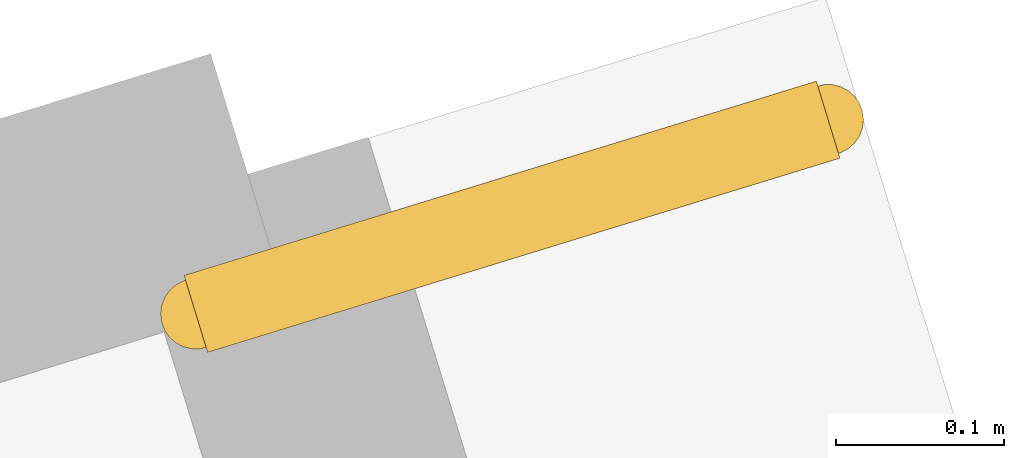
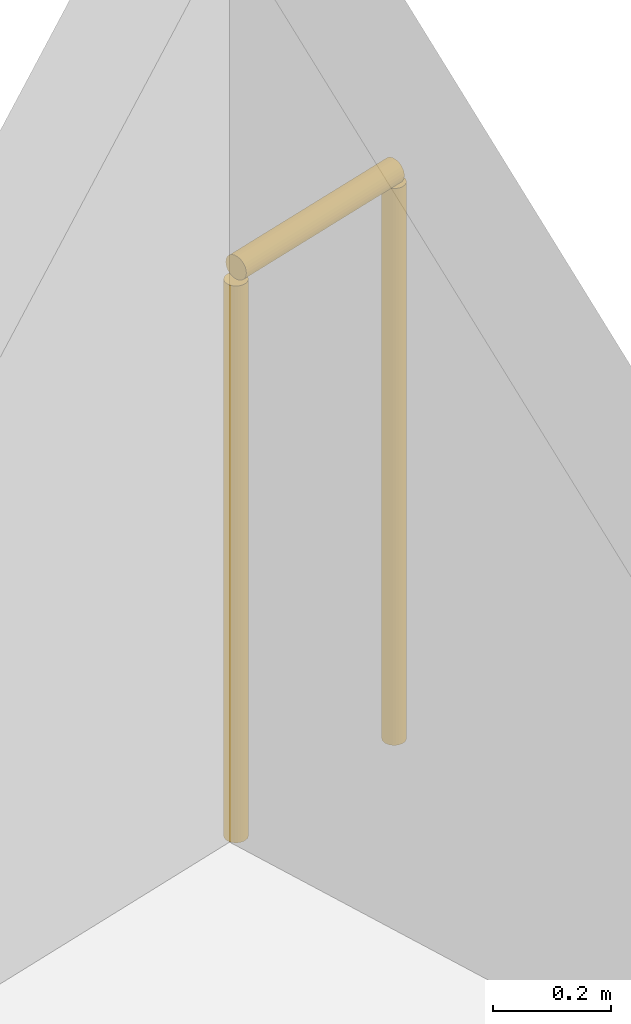
# One storey, part 14 of 14: 1 railing.
"""IFC4 building model written with IfcOpenShell, lengths in metres."""

import ifcopenshell
import ifcopenshell.guid

model = None  # the IFC model being written
_history = None  # IfcOwnerHistory: only IFC2X3 demands one
_inside = {}  # id of a spatial element -> (the spatial element, [elements in it])
_under = {}  # id of a project, library or spatial element -> (it, [spatial elements below it])
_declared = {}  # id of a project -> (the project, [libraries it declares])
_typed = {}  # id of a type object -> (the type object, [elements of that type])
_made_of = {}  # id of a material, layer set ... -> (it, [elements and type objects made of it])


def new_model(schema):
    """Start an empty IFC model of exactly this schema.

    Asked for "IFC4X3", IfcOpenShell would pick the latest addendum, in which some entities
    have other attributes; the version numbers below select the first issue.
    IFC2X3 requires an IfcOwnerHistory on every rooted entity: one is made here for all.
    """
    global model, _history
    if schema == "IFC4X3":
        model = ifcopenshell.file(schema_version=(4, 3, 0, 0))
    else:
        model = ifcopenshell.file(schema=schema)
    _inside.clear()
    _under.clear()
    _declared.clear()
    _typed.clear()
    _made_of.clear()
    _history = None
    if model.schema == "IFC2X3":
        org = make("IfcOrganization", Name="unknown")
        user = make(
            "IfcPersonAndOrganization",
            ThePerson=make("IfcPerson", FamilyName="unknown"),
            TheOrganization=org,
        )
        app = make(
            "IfcApplication",
            ApplicationDeveloper=org,
            Version="unknown",
            ApplicationFullName="unknown",
            ApplicationIdentifier="unknown",
        )
        _history = make(
            "IfcOwnerHistory",
            OwningUser=user,
            OwningApplication=app,
            ChangeAction="ADDED",
            CreationDate=0,
        )
    return model


def make(cls, **values):
    """One entity of the class cls with the attributes given. An attribute that is None is left unset."""
    return model.create_entity(
        cls, **{name: value for name, value in values.items() if value is not None}
    )


def rooted(cls, **values):
    """An entity with a GlobalId (a new one), such as an element, a storey or a relation."""
    return make(cls, GlobalId=ifcopenshell.guid.new(), OwnerHistory=_history, **values)


def si_unit(unit_type, name, prefix=None):
    """IfcSIUnit, for example si_unit("LENGTHUNIT", "METRE", prefix="MILLI")."""
    return make("IfcSIUnit", UnitType=unit_type, Prefix=prefix, Name=name)


def assignment(units):
    """IfcUnitAssignment: the units of a project."""
    return None if units is None else make("IfcUnitAssignment", Units=units)


def point(xyz):
    """IfcCartesianPoint."""
    return None if xyz is None else make("IfcCartesianPoint", Coordinates=xyz)


def direction(xyz):
    """IfcDirection."""
    return None if xyz is None else make("IfcDirection", DirectionRatios=xyz)


def frame(location, z_axis=None, x_axis=None):
    """IfcAxis2Placement3D, a coordinate frame: its origin and axes. An axis left out is left unset."""
    return make(
        "IfcAxis2Placement3D",
        Location=point(location),
        Axis=direction(z_axis),
        RefDirection=direction(x_axis),
    )


def frame_2d(location, x_axis=None):
    """IfcAxis2Placement2D, a coordinate frame in the plane: its origin and x axis."""
    return make(
        "IfcAxis2Placement2D", Location=point(location), RefDirection=direction(x_axis)
    )


def origin():
    """The frame at (0, 0, 0) with its axes left unset."""
    return frame((0.0, 0.0, 0.0))


def origin_2d():
    """The frame at (0, 0) in the plane with its x axis left unset."""
    return frame_2d((0.0, 0.0))


def place(relative_to, where):
    """IfcLocalPlacement: puts the frame where relative to a parent placement (None: the world)."""
    return make(
        "IfcLocalPlacement", PlacementRelTo=relative_to, RelativePlacement=where
    )


def context(
    kind, dimensions, precision=None, world=None, true_north=None, identifier=None
):
    """IfcGeometricRepresentationContext, for example the 3D "Model" context."""
    return make(
        "IfcGeometricRepresentationContext",
        ContextIdentifier=identifier,
        ContextType=kind,
        CoordinateSpaceDimension=dimensions,
        Precision=precision,
        WorldCoordinateSystem=world,
        TrueNorth=true_north,
    )


def subcontext(parent, identifier, kind, view, scale=None):
    """IfcGeometricRepresentationSubContext, for example "Body" below "Model"."""
    return make(
        "IfcGeometricRepresentationSubContext",
        ContextIdentifier=identifier,
        ContextType=kind,
        ParentContext=parent,
        TargetScale=scale,
        TargetView=view,
    )


def project(units=None, contexts=None):
    """IfcProject with its units and contexts."""
    return rooted(
        "IfcProject",
        Name="project",
        RepresentationContexts=contexts,
        UnitsInContext=assignment(units),
    )


def spatial(cls, under=None, at=None, **own):
    """A site, building, storey or space (cls), placed at a placement, below another one or the project."""
    s = rooted(cls, ObjectPlacement=at, **own)
    if under is not None:
        _under.setdefault(under.id(), (under, []))[1].append(s)
    return s


def profile(cls, at=None, kind="AREA", **sizes):
    """A parametric profile (cls). Its sizes go by their IFC names, for example OverallWidth=200.0."""
    return make(cls, ProfileType=kind, Position=at, **sizes)


def circle(**sizes):
    """IfcCircleProfileDef."""
    return profile("IfcCircleProfileDef", **sizes)


def extrude(swept, where, along, depth):
    """IfcExtrudedAreaSolid: the profile swept, set in the frame where, extruded along a direction by depth."""
    return make(
        "IfcExtrudedAreaSolid",
        SweptArea=swept,
        Position=where,
        ExtrudedDirection=direction(along),
        Depth=depth,
    )


def shape(context_of_items, identifier, shape_type, items):
    """IfcShapeRepresentation: the items that make up one representation, for example the "Body"."""
    return make(
        "IfcShapeRepresentation",
        ContextOfItems=context_of_items,
        RepresentationIdentifier=identifier,
        RepresentationType=shape_type,
        Items=items,
    )


def material(Name=None, Category=None):
    """IfcMaterial."""
    return make("IfcMaterial", Name=Name, Category=Category)


def layer(
    of_material, thickness, ventilated=None, Name=None, Category=None, Priority=None
):
    """IfcMaterialLayer: one layer of a wall or slab, of a material (None: an air gap)."""
    return make(
        "IfcMaterialLayer",
        Material=of_material,
        LayerThickness=thickness,
        IsVentilated=ventilated,
        Name=Name,
        Category=Category,
        Priority=Priority,
    )


def layer_set(layers, Name=None):
    """IfcMaterialLayerSet."""
    return make("IfcMaterialLayerSet", MaterialLayers=layers, LayerSetName=Name)


def made_of(thing, what):
    """Note that an element or type object is made of a material, layer set ...; save() writes the relation."""
    if what is not None:
        _made_of.setdefault(what.id(), (what, []))[1].append(thing)
    return thing


def type_object(cls, material=None, **own):
    """A type object (cls), such as IfcWallType, which elements share."""
    return made_of(rooted(cls, **own), material)


def element(
    cls,
    number,
    at=None,
    inside=None,
    cuts=None,
    type_object=None,
    material=None,
    context=None,
    identifier="Body",
    shape_type=None,
    held_by="IfcProductDefinitionShape",
    body=None,
    shapes=None,
    **own,
):
    """One element of the class cls, such as IfcWall. Its Tag is "e" and its number.

    at: its placement. inside: the storey or other place that contains it. cuts: it is an
    opening in that element (IfcRelVoidsElement). A single representation is given by context,
    identifier, shape_type and body (its items); several are given by shapes. held_by: the class
    of the entity that holds the representations. save() writes the other relations.
    """
    e = rooted(cls, Tag="e%d" % number, ObjectPlacement=at, **own)
    if body is not None:
        shapes = [shape(context, identifier, shape_type, body)]
    if shapes is not None:
        e.Representation = make(held_by, Representations=shapes)
    if inside is not None:
        _inside.setdefault(inside.id(), (inside, []))[1].append(e)
    if cuts is not None:
        rooted(
            "IfcRelVoidsElement", RelatingBuildingElement=cuts, RelatedOpeningElement=e
        )
    if type_object is not None:
        _typed.setdefault(type_object.id(), (type_object, []))[1].append(e)
    return made_of(e, material)


def aggregate(whole, parts):
    """IfcRelAggregates: a whole, such as a stair, and the parts it consists of."""
    return rooted("IfcRelAggregates", RelatingObject=whole, RelatedObjects=parts)


def save(model, path):
    """Write the relations noted so far, then the file.

    IfcRelAggregates (storeys below a building ...), IfcRelContainedInSpatialStructure (elements
    in a storey), IfcRelDefinesByType, IfcRelAssociatesMaterial and IfcRelDeclares: one each for
    every whole, place, type object, material and project.
    """
    for whole, parts in _under.values():
        aggregate(whole, parts)
    for where, things in _inside.values():
        rooted(
            "IfcRelContainedInSpatialStructure",
            RelatedElements=things,
            RelatingStructure=where,
        )
    for kind, things in _typed.values():
        rooted("IfcRelDefinesByType", RelatedObjects=things, RelatingType=kind)
    for what, things in _made_of.values():
        rooted("IfcRelAssociatesMaterial", RelatedObjects=things, RelatingMaterial=what)
    for by, libraries in _declared.values():
        rooted("IfcRelDeclares", RelatingContext=by, RelatedDefinitions=libraries)
    model.write(path)


model = new_model("IFC4")

# Units and contexts
model_context = context("Model", 3, precision=1e-05, world=origin(), true_north=direction((0.0, 1.0)))
body_context = subcontext(model_context, "Body", "Model", "MODEL_VIEW")
ifc_project = project(units=[si_unit("LENGTHUNIT", "METRE"), si_unit("AREAUNIT", "SQUARE_METRE"), si_unit("VOLUMEUNIT", "CUBIC_METRE"), si_unit("PLANEANGLEUNIT", "RADIAN"), si_unit("MASSUNIT", "GRAM", prefix="KILO")], contexts=[model_context])

# Site, building, storey
site_placement = place(None, origin())
site = spatial("IfcSite", under=ifc_project, at=site_placement, CompositionType="ELEMENT")
building_placement = place(site_placement, origin())
building = spatial("IfcBuilding", under=site, at=building_placement, Name="Gaonmaruhae Medical Tower", CompositionType="ELEMENT")
storey_placement = place(building_placement, frame((0.0, 0.0, 96.39990234375)))
storey = spatial("IfcBuildingStorey", under=building, at=storey_placement, Name="L22", CompositionType="ELEMENT", Elevation=96.39990234375)

# Railing
ifc_material = material(Name="Stainless steel 316L and laminated safety glass", Category="steel")
ifc_layer = layer(ifc_material, 0.080078125)
ifc_layer_set = layer_set([ifc_layer], Name="Stainless steel 316L and laminated safety glass")
railing_type = type_object("IfcRailingType", Name="GD-120 Outdoor Terrace Safety Glass & Steel Balustrade", PredefinedType="BALUSTRADE", material=ifc_layer_set)
railing_placement = place(storey_placement, frame((56.076171875, 29.235107421875, 0.0)))
element("IfcRailing", 1, at=railing_placement, inside=storey, type_object=railing_type, Name="L22 Perimeter Slab Edge Safety Balustrade 01", PredefinedType="BALUSTRADE", context=body_context, shape_type="SweptSolid", body=[
    extrude(circle(Radius=0.02392578125, at=origin_2d()), frame((0.0, 0.0, 1.17578125), z_axis=(0.955926521728, 0.293606003102, 0.0), x_axis=(-0.293606003102, 0.955926521728, 0.0)), (0.0, 0.0, 1.0), 0.393310546875),
    extrude(circle(Radius=0.02099609375, at=origin_2d()), origin(), (0.0, 0.0, 1.0), 1.15185546875),
    extrude(circle(Radius=0.02099609375, at=origin_2d()), frame((0.3759765625, 0.115478515625, 0.0)), (0.0, 0.0, 1.0), 1.15185546875),
])

save(model, "model.ifc")
